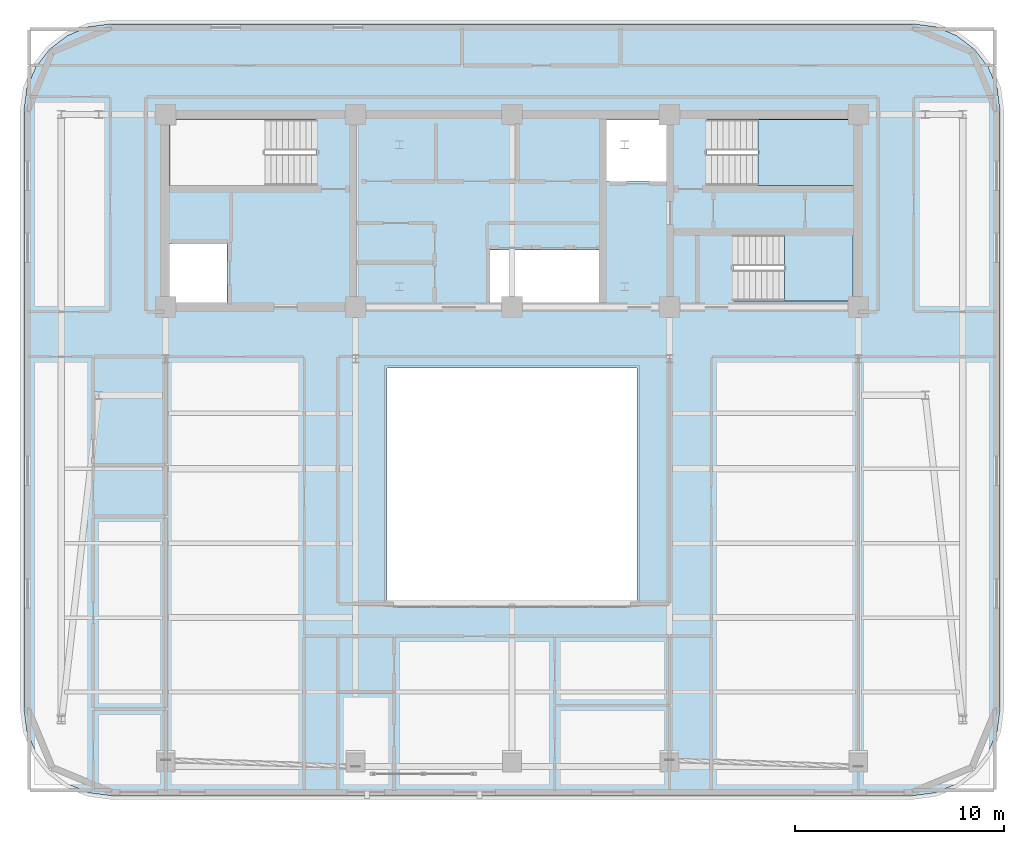
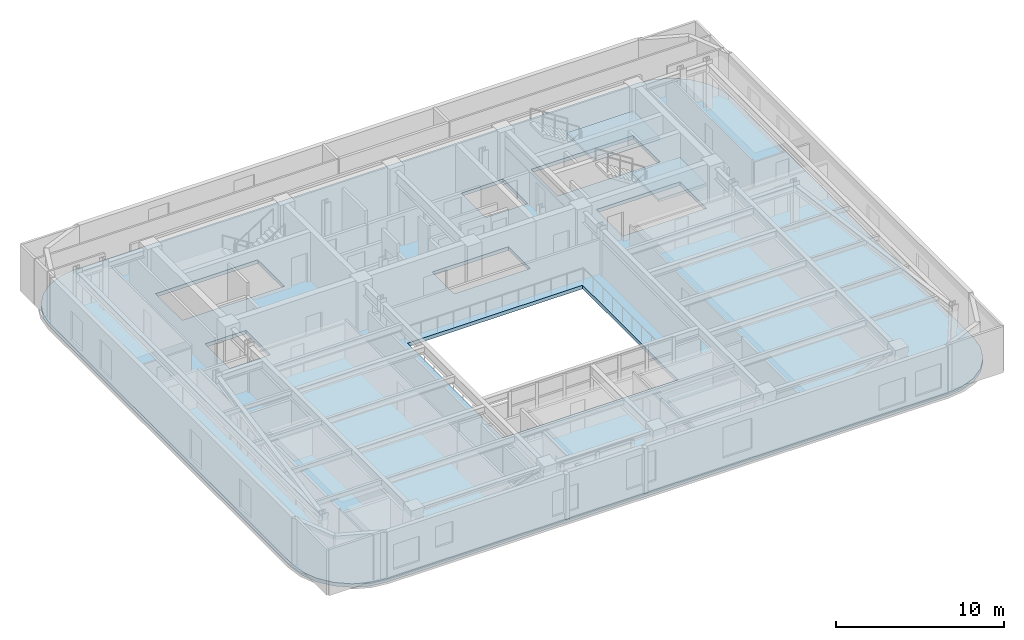
# One storey, part 4 of 14: 3 slabs, 2 elements without a shape of their own.
"""IFC4 building model written with IfcOpenShell, lengths in metres."""

import ifcopenshell
import ifcopenshell.guid

model = None  # the IFC model being written
_history = None  # IfcOwnerHistory: only IFC2X3 demands one
_inside = {}  # id of a spatial element -> (the spatial element, [elements in it])
_under = {}  # id of a project, library or spatial element -> (it, [spatial elements below it])
_declared = {}  # id of a project -> (the project, [libraries it declares])
_typed = {}  # id of a type object -> (the type object, [elements of that type])
_made_of = {}  # id of a material, layer set ... -> (it, [elements and type objects made of it])


def new_model(schema):
    """Start an empty IFC model of exactly this schema.

    Asked for "IFC4X3", IfcOpenShell would pick the latest addendum, in which some entities
    have other attributes; the version numbers below select the first issue.
    IFC2X3 requires an IfcOwnerHistory on every rooted entity: one is made here for all.
    """
    global model, _history
    if schema == "IFC4X3":
        model = ifcopenshell.file(schema_version=(4, 3, 0, 0))
    else:
        model = ifcopenshell.file(schema=schema)
    _inside.clear()
    _under.clear()
    _declared.clear()
    _typed.clear()
    _made_of.clear()
    _history = None
    if model.schema == "IFC2X3":
        org = make("IfcOrganization", Name="unknown")
        user = make(
            "IfcPersonAndOrganization",
            ThePerson=make("IfcPerson", FamilyName="unknown"),
            TheOrganization=org,
        )
        app = make(
            "IfcApplication",
            ApplicationDeveloper=org,
            Version="unknown",
            ApplicationFullName="unknown",
            ApplicationIdentifier="unknown",
        )
        _history = make(
            "IfcOwnerHistory",
            OwningUser=user,
            OwningApplication=app,
            ChangeAction="ADDED",
            CreationDate=0,
        )
    return model


def make(cls, **values):
    """One entity of the class cls with the attributes given. An attribute that is None is left unset."""
    return model.create_entity(
        cls, **{name: value for name, value in values.items() if value is not None}
    )


def rooted(cls, **values):
    """An entity with a GlobalId (a new one), such as an element, a storey or a relation."""
    return make(cls, GlobalId=ifcopenshell.guid.new(), OwnerHistory=_history, **values)


def si_unit(unit_type, name, prefix=None):
    """IfcSIUnit, for example si_unit("LENGTHUNIT", "METRE", prefix="MILLI")."""
    return make("IfcSIUnit", UnitType=unit_type, Prefix=prefix, Name=name)


def assignment(units):
    """IfcUnitAssignment: the units of a project."""
    return None if units is None else make("IfcUnitAssignment", Units=units)


def point(xyz):
    """IfcCartesianPoint."""
    return None if xyz is None else make("IfcCartesianPoint", Coordinates=xyz)


def direction(xyz):
    """IfcDirection."""
    return None if xyz is None else make("IfcDirection", DirectionRatios=xyz)


def frame(location, z_axis=None, x_axis=None):
    """IfcAxis2Placement3D, a coordinate frame: its origin and axes. An axis left out is left unset."""
    return make(
        "IfcAxis2Placement3D",
        Location=point(location),
        Axis=direction(z_axis),
        RefDirection=direction(x_axis),
    )


def origin():
    """The frame at (0, 0, 0) with its axes left unset."""
    return frame((0.0, 0.0, 0.0))


def place(relative_to, where):
    """IfcLocalPlacement: puts the frame where relative to a parent placement (None: the world)."""
    return make(
        "IfcLocalPlacement", PlacementRelTo=relative_to, RelativePlacement=where
    )


def context(
    kind, dimensions, precision=None, world=None, true_north=None, identifier=None
):
    """IfcGeometricRepresentationContext, for example the 3D "Model" context."""
    return make(
        "IfcGeometricRepresentationContext",
        ContextIdentifier=identifier,
        ContextType=kind,
        CoordinateSpaceDimension=dimensions,
        Precision=precision,
        WorldCoordinateSystem=world,
        TrueNorth=true_north,
    )


def subcontext(parent, identifier, kind, view, scale=None):
    """IfcGeometricRepresentationSubContext, for example "Body" below "Model"."""
    return make(
        "IfcGeometricRepresentationSubContext",
        ContextIdentifier=identifier,
        ContextType=kind,
        ParentContext=parent,
        TargetScale=scale,
        TargetView=view,
    )


def project(units=None, contexts=None):
    """IfcProject with its units and contexts."""
    return rooted(
        "IfcProject",
        Name="project",
        RepresentationContexts=contexts,
        UnitsInContext=assignment(units),
    )


def spatial(cls, under=None, at=None, **own):
    """A site, building, storey or space (cls), placed at a placement, below another one or the project."""
    s = rooted(cls, ObjectPlacement=at, **own)
    if under is not None:
        _under.setdefault(under.id(), (under, []))[1].append(s)
    return s


def polyline(points):
    """IfcPolyline through the points."""
    return make("IfcPolyline", Points=[point(p) for p in points])


def outline(outer, holes=None, kind="AREA"):
    """IfcArbitraryClosedProfileDef: a profile drawn as a closed curve; with holes, ...WithVoids."""
    if holes is None:
        return make("IfcArbitraryClosedProfileDef", ProfileType=kind, OuterCurve=outer)
    return make(
        "IfcArbitraryProfileDefWithVoids",
        ProfileType=kind,
        OuterCurve=outer,
        InnerCurves=holes,
    )


def extrude(swept, where, along, depth):
    """IfcExtrudedAreaSolid: the profile swept, set in the frame where, extruded along a direction by depth."""
    return make(
        "IfcExtrudedAreaSolid",
        SweptArea=swept,
        Position=where,
        ExtrudedDirection=direction(along),
        Depth=depth,
    )


def shape(context_of_items, identifier, shape_type, items):
    """IfcShapeRepresentation: the items that make up one representation, for example the "Body"."""
    return make(
        "IfcShapeRepresentation",
        ContextOfItems=context_of_items,
        RepresentationIdentifier=identifier,
        RepresentationType=shape_type,
        Items=items,
    )


def material(Name=None, Category=None):
    """IfcMaterial."""
    return make("IfcMaterial", Name=Name, Category=Category)


def layer(
    of_material, thickness, ventilated=None, Name=None, Category=None, Priority=None
):
    """IfcMaterialLayer: one layer of a wall or slab, of a material (None: an air gap)."""
    return make(
        "IfcMaterialLayer",
        Material=of_material,
        LayerThickness=thickness,
        IsVentilated=ventilated,
        Name=Name,
        Category=Category,
        Priority=Priority,
    )


def layer_set(layers, Name=None):
    """IfcMaterialLayerSet."""
    return make("IfcMaterialLayerSet", MaterialLayers=layers, LayerSetName=Name)


def made_of(thing, what):
    """Note that an element or type object is made of a material, layer set ...; save() writes the relation."""
    if what is not None:
        _made_of.setdefault(what.id(), (what, []))[1].append(thing)
    return thing


def type_object(cls, material=None, **own):
    """A type object (cls), such as IfcWallType, which elements share."""
    return made_of(rooted(cls, **own), material)


def element(
    cls,
    number,
    at=None,
    inside=None,
    cuts=None,
    type_object=None,
    material=None,
    context=None,
    identifier="Body",
    shape_type=None,
    held_by="IfcProductDefinitionShape",
    body=None,
    shapes=None,
    **own,
):
    """One element of the class cls, such as IfcWall. Its Tag is "e" and its number.

    at: its placement. inside: the storey or other place that contains it. cuts: it is an
    opening in that element (IfcRelVoidsElement). A single representation is given by context,
    identifier, shape_type and body (its items); several are given by shapes. held_by: the class
    of the entity that holds the representations. save() writes the other relations.
    """
    e = rooted(cls, Tag="e%d" % number, ObjectPlacement=at, **own)
    if body is not None:
        shapes = [shape(context, identifier, shape_type, body)]
    if shapes is not None:
        e.Representation = make(held_by, Representations=shapes)
    if inside is not None:
        _inside.setdefault(inside.id(), (inside, []))[1].append(e)
    if cuts is not None:
        rooted(
            "IfcRelVoidsElement", RelatingBuildingElement=cuts, RelatedOpeningElement=e
        )
    if type_object is not None:
        _typed.setdefault(type_object.id(), (type_object, []))[1].append(e)
    return made_of(e, material)


def aggregate(whole, parts):
    """IfcRelAggregates: a whole, such as a stair, and the parts it consists of."""
    return rooted("IfcRelAggregates", RelatingObject=whole, RelatedObjects=parts)


def save(model, path):
    """Write the relations noted so far, then the file.

    IfcRelAggregates (storeys below a building ...), IfcRelContainedInSpatialStructure (elements
    in a storey), IfcRelDefinesByType, IfcRelAssociatesMaterial and IfcRelDeclares: one each for
    every whole, place, type object, material and project.
    """
    for whole, parts in _under.values():
        aggregate(whole, parts)
    for where, things in _inside.values():
        rooted(
            "IfcRelContainedInSpatialStructure",
            RelatedElements=things,
            RelatingStructure=where,
        )
    for kind, things in _typed.values():
        rooted("IfcRelDefinesByType", RelatedObjects=things, RelatingType=kind)
    for what, things in _made_of.values():
        rooted("IfcRelAssociatesMaterial", RelatedObjects=things, RelatingMaterial=what)
    for by, libraries in _declared.values():
        rooted("IfcRelDeclares", RelatingContext=by, RelatedDefinitions=libraries)
    model.write(path)


model = new_model("IFC4")

# Units and contexts
model_context = context("Model", 3, precision=1e-05, world=origin(), true_north=direction((0.0, 1.0)))
body_context = subcontext(model_context, "Body", "Model", "MODEL_VIEW")
ifc_project = project(units=[si_unit("LENGTHUNIT", "METRE"), si_unit("AREAUNIT", "SQUARE_METRE"), si_unit("VOLUMEUNIT", "CUBIC_METRE"), si_unit("PLANEANGLEUNIT", "RADIAN"), si_unit("MASSUNIT", "GRAM", prefix="KILO")], contexts=[model_context])

# Site, building, storey
site_placement = place(None, origin())
site = spatial("IfcSite", under=ifc_project, at=site_placement, CompositionType="ELEMENT")
building_placement = place(site_placement, origin())
building = spatial("IfcBuilding", under=site, at=building_placement, Name="Zarnavel Station Tower", CompositionType="ELEMENT")
storey_placement = place(building_placement, frame((0.0, 0.0, 222.0)))
storey = spatial("IfcBuildingStorey", under=building, at=storey_placement, Name="L60", CompositionType="ELEMENT", Elevation=222.0)

# Slab
ifc_material_1 = material(Name="Concrete C45/55", Category="concrete")
ifc_layer_1 = layer(ifc_material_1, 0.260009765625)
ifc_layer_set_1 = layer_set([ifc_layer_1], Name="SL_FLR_260")
slab_type_1 = type_object("IfcSlabType", Name="SL_FLR_260", PredefinedType="FLOOR", material=ifc_layer_set_1)
slab_1_placement = place(storey_placement, frame((0.0, 0.0, -0.260009765625)))
element("IfcSlab", 1, at=slab_1_placement, inside=storey, type_object=slab_type_1, Name="L60 Structural Floor Slab", PredefinedType="FLOOR", context=body_context, shape_type="SweptSolid", body=[
    extrude(outline(polyline([(48.0, 4.39990234375), (49.0869140625, 4.543212890625), (50.10009765625, 4.962646484375), (50.9697265625, 5.630126953125), (51.63720703125, 6.5), (52.056884765625, 7.512939453125), (52.199951171875, 8.60009765625), (52.199951171875, 37.199951171875), (52.056884765625, 38.287109375), (51.63720703125, 39.300048828125), (50.9697265625, 40.169921875), (50.10009765625, 40.83740234375), (49.0869140625, 41.2568359375), (48.0, 41.39990234375), (9.60009765625, 41.39990234375), (8.512939453125, 41.2568359375), (7.5, 40.83740234375), (6.630126953125, 40.169921875), (5.962646484375, 39.300048828125), (5.543212890625, 38.287109375), (5.39990234375, 37.199951171875), (5.39990234375, 8.60009765625), (5.543212890625, 7.512939453125), (5.962646484375, 6.5), (6.630126953125, 5.630126953125), (7.5, 4.962646484375), (8.512939453125, 4.543212890625), (9.60009765625, 4.39990234375), (48.0, 4.39990234375)]), holes=[polyline([(12.39990234375, 33.659912109375), (19.409912109375, 33.659912109375), (19.409912109375, 36.820068359375), (12.39990234375, 36.820068359375), (12.39990234375, 33.659912109375)]), polyline([(38.14990234375, 33.659912109375), (45.159912109375, 33.659912109375), (45.159912109375, 36.820068359375), (38.14990234375, 36.820068359375), (38.14990234375, 33.659912109375)]), polyline([(39.419921875, 28.1201171875), (45.14990234375, 28.1201171875), (45.14990234375, 31.280029296875), (39.419921875, 31.280029296875), (39.419921875, 28.1201171875)]), polyline([(12.35009765625, 27.949951171875), (15.14990234375, 27.949951171875), (15.14990234375, 30.85009765625), (12.35009765625, 30.85009765625), (12.35009765625, 27.949951171875)]), polyline([(33.320068359375, 33.85009765625), (36.2099609375, 33.85009765625), (36.2099609375, 36.780029296875), (33.320068359375, 36.780029296875), (33.320068359375, 33.85009765625)]), polyline([(27.75, 27.949951171875), (32.97998046875, 27.949951171875), (32.97998046875, 30.550048828125), (27.75, 30.550048828125), (27.75, 27.949951171875)]), polyline([(22.800048828125, 13.60009765625), (34.800048828125, 13.60009765625), (34.800048828125, 24.89990234375), (22.800048828125, 24.89990234375), (22.800048828125, 13.60009765625)])]), origin(), (0.0, 0.0, 1.0), 0.260009765625),
])

# Stair, slab
ifc_material_2 = material(Name="Concrete C45/55", Category="concrete")
stair_type = type_object("IfcStairType", Name="ST_CORE_150", PredefinedType="HALF_TURN_STAIR", material=ifc_material_2)
stair_1_placement = place(storey_placement, origin())
stair_1 = element("IfcStair", 2, at=stair_1_placement, inside=storey, type_object=stair_type, Name="L60 Core Exit Stair ST2", PredefinedType="HALF_TURN_STAIR")
ifc_material_3 = material(Name="Concrete C45/55", Category="concrete")
ifc_layer_2 = layer(ifc_material_3, 0.199951171875)
ifc_layer_set_2 = layer_set([ifc_layer_2], Name="SL_STAIR_LAND_200")
slab_type_2 = type_object("IfcSlabType", Name="SL_STAIR_LAND_200", PredefinedType="LANDING", material=ifc_layer_set_2)
slab_2_placement = place(storey_placement, frame((0.0, 0.0, 1.60009765625)))
slab_2 = element("IfcSlab", 3, at=slab_2_placement, type_object=slab_type_2, Name="ST2 landing 1", PredefinedType="LANDING", context=body_context, shape_type="SweptSolid", body=[
    extrude(outline(polyline([(40.60009765625, 33.659912109375), (45.159912109375, 33.659912109375), (45.159912109375, 36.820068359375), (40.60009765625, 36.820068359375), (40.60009765625, 33.659912109375)])), origin(), (0.0, 0.0, 1.0), 0.199951171875),
])
aggregate(stair_1, [slab_2])

stair_2_placement = place(storey_placement, origin())
stair_2 = element("IfcStair", 4, at=stair_2_placement, inside=storey, type_object=stair_type, Name="L60 Core Exit Stair ST3", PredefinedType="HALF_TURN_STAIR")
slab_3_placement = place(storey_placement, frame((0.0, 0.0, 1.60009765625)))
slab_3 = element("IfcSlab", 5, at=slab_3_placement, type_object=slab_type_2, Name="ST3 landing 1", PredefinedType="LANDING", context=body_context, shape_type="SweptSolid", body=[
    extrude(outline(polyline([(41.8701171875, 28.1201171875), (45.14990234375, 28.1201171875), (45.14990234375, 31.280029296875), (41.8701171875, 31.280029296875), (41.8701171875, 28.1201171875)])), origin(), (0.0, 0.0, 1.0), 0.199951171875),
])
aggregate(stair_2, [slab_3])

save(model, "model.ifc")
